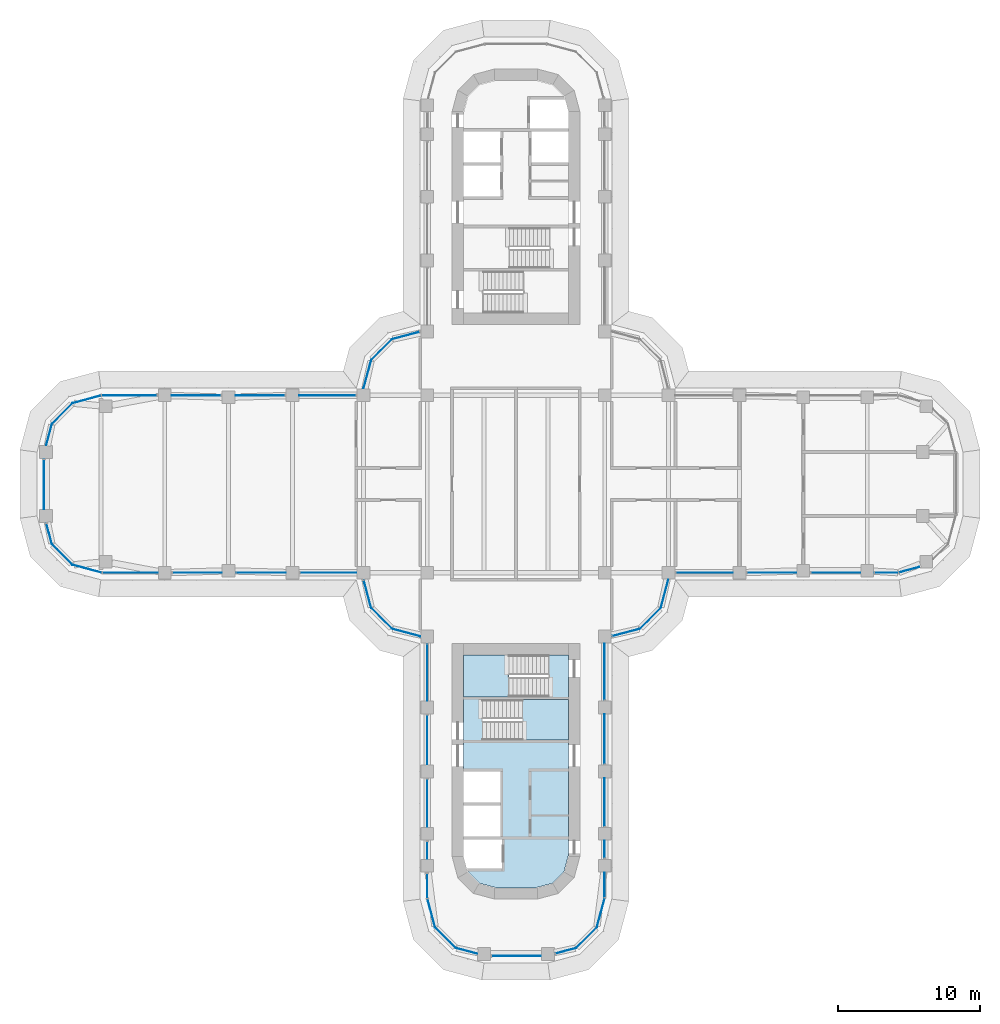
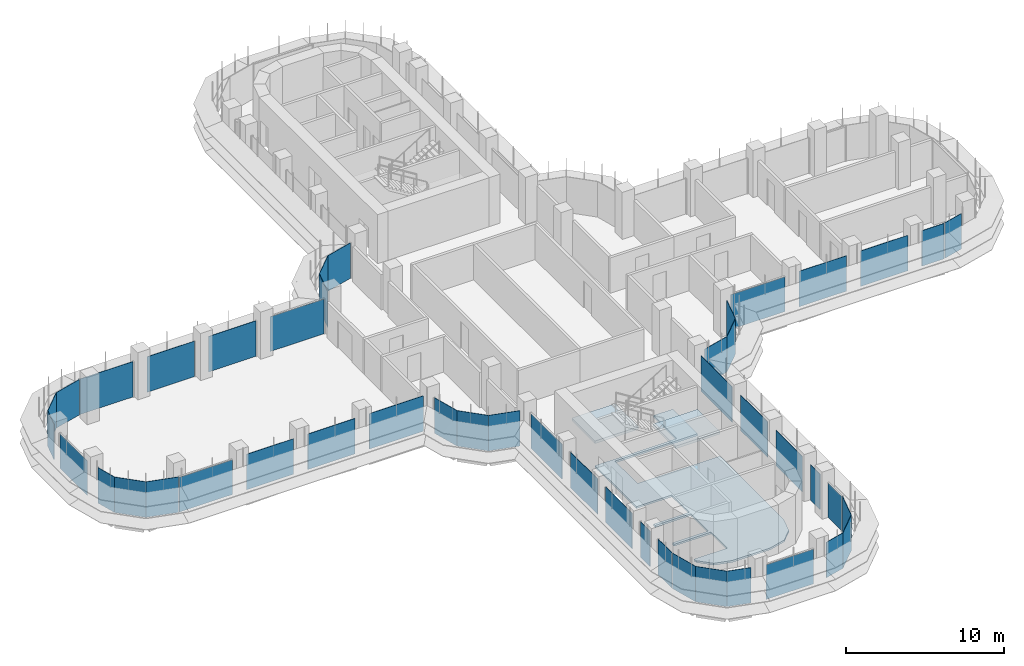
# One storey, part 12 of 21: 46 plates, 3 slabs, 31 elements without a shape of their own.
"""IFC4 building model written with IfcOpenShell, lengths in metres."""

from ifc_helpers import new_model, si_unit, direction, frame, origin, place, context, subcontext, project, spatial, polyline, outline, extrude, source, transform, mapped, material, layer, layer_set, type_object, element, aggregate, save


model = new_model("IFC4")

# Units and contexts
model_context = context("Model", 3, precision=1e-05, world=origin(), true_north=direction((0.0, 1.0)))
body_context = subcontext(model_context, "Body", "Model", "MODEL_VIEW")
ifc_project = project(units=[si_unit("LENGTHUNIT", "METRE"), si_unit("AREAUNIT", "SQUARE_METRE"), si_unit("VOLUMEUNIT", "CUBIC_METRE"), si_unit("PLANEANGLEUNIT", "RADIAN"), si_unit("MASSUNIT", "GRAM", prefix="KILO")], contexts=[model_context])

# Site, building, storey
site_placement = place(None, origin())
site = spatial("IfcSite", under=ifc_project, at=site_placement, CompositionType="ELEMENT")
building_placement = place(site_placement, origin())
building = spatial("IfcBuilding", under=site, at=building_placement, Name="Zarbagh Exchange Tower", CompositionType="ELEMENT")
storey_placement = place(building_placement, frame((0.0, 0.0, 128.39990234375)))
storey = spatial("IfcBuildingStorey", under=building, at=storey_placement, Name="L30", CompositionType="ELEMENT", Elevation=128.39990234375)

# Slab
ifc_material_1 = material(Name="Concrete C40/50", Category="concrete")
ifc_layer_1 = layer(ifc_material_1, 0.14990234375)
ifc_layer_set_1 = layer_set([ifc_layer_1], Name="Core floor slab 150 C40/50")
slab_type_1 = type_object("IfcSlabType", Name="Core floor slab 150 C40/50", PredefinedType="FLOOR", material=ifc_layer_set_1)
slab_1_placement = place(storey_placement, frame((0.0, 0.0, -0.14990234375)))
element("IfcSlab", 1, at=slab_1_placement, inside=storey, type_object=slab_type_1, Name="S17 core S", PredefinedType="FLOOR", context=body_context, shape_type="SweptSolid", body=[
    extrude(outline(polyline([(-2.5859375, -28.130859375), (-3.380859375, -27.3359375), (-3.646484375, -26.3447265625), (-3.444091796875, -27.10009765625), (-1.0, -27.10009765625), (-1.0, -25.050048828125), (-3.699951171875, -25.050048828125), (-3.699951171875, -24.85009765625), (-1.10009765625, -24.85009765625), (-1.10009765625, -22.64990234375), (-3.699951171875, -22.64990234375), (-3.699951171875, -22.449951171875), (-1.10009765625, -22.449951171875), (-1.10009765625, -20.25), (-3.699951171875, -20.25), (-3.699951171875, -15.0), (2.300048828125, -15.0), (2.300048828125, -12.050048828125), (3.699951171875, -12.050048828125), (3.699951171875, -15.199951171875), (-2.35009765625, -15.199951171875), (-2.35009765625, -18.050048828125), (3.699951171875, -18.050048828125), (3.699951171875, -26.144775390625), (3.380859375, -27.3359375), (2.5859375, -28.130859375), (1.394775390625, -28.449951171875), (-1.394775390625, -28.449951171875), (-2.5859375, -28.130859375)])), origin(), (0.0, 0.0, 1.0), 0.14990234375),
])

# Stair, slab
stair_type = type_object("IfcStairType", Name="Exit stair two-flight half-turn", PredefinedType="HALF_TURN_STAIR", material=ifc_material_1)
stair_1_placement = place(storey_placement, origin())
stair_1 = element("IfcStair", 2, at=stair_1_placement, inside=storey, type_object=stair_type, Name="exit stair ST3", PredefinedType="HALF_TURN_STAIR")
ifc_layer_2 = layer(ifc_material_1, 0.199951171875)
ifc_layer_set_2 = layer_set([ifc_layer_2], Name="Stair landing 200 mm")
slab_type_2 = type_object("IfcSlabType", Name="Stair landing 200 mm", PredefinedType="LANDING", material=ifc_layer_set_2)
slab_2_placement = place(storey_placement, frame((0.0, 0.0, 1.7001953125)))
slab_2 = element("IfcSlab", 3, at=slab_2_placement, type_object=slab_type_2, Name="ST3 landing 1", PredefinedType="LANDING", context=body_context, shape_type="SweptSolid", body=[
    extrude(outline(polyline([(0.449951171875, -18.050048828125), (3.699951171875, -18.050048828125), (3.699951171875, -15.199951171875), (0.449951171875, -15.199951171875), (0.449951171875, -18.050048828125)])), origin(), (0.0, 0.0, 1.0), 0.199951171875),
])
aggregate(stair_1, [slab_2])

stair_2_placement = place(storey_placement, origin())
stair_2 = element("IfcStair", 4, at=stair_2_placement, inside=storey, type_object=stair_type, Name="exit stair ST4", PredefinedType="HALF_TURN_STAIR")
slab_3_placement = place(storey_placement, frame((0.0, 0.0, 1.7001953125)))
slab_3 = element("IfcSlab", 5, at=slab_3_placement, type_object=slab_type_2, Name="ST4 landing 1", PredefinedType="LANDING", context=body_context, shape_type="SweptSolid", body=[
    extrude(outline(polyline([(-0.5, -12.050048828125), (-3.699951171875, -12.050048828125), (-3.699951171875, -15.0), (-0.5, -15.0), (-0.5, -12.050048828125)])), origin(), (0.0, 0.0, 1.0), 0.199951171875),
])
aggregate(stair_2, [slab_3])

# Curtain wall, plate
ifc_material_2 = material(Name="Anodised aluminium frame and glazing", Category="aluminium")
curtain_wall_type = type_object("IfcCurtainWallType", Name="CWA Ribbon glazing, lower zones", PredefinedType="NOTDEFINED", material=ifc_material_2)
curtain_wall_1_placement = place(storey_placement, origin())
curtain_wall_1 = element("IfcCurtainWall", 6, at=curtain_wall_1_placement, inside=storey, type_object=curtain_wall_type, Name="CWA01 curtain wall", PredefinedType="NOTDEFINED")
ifc_material_3 = material(Name="Low-e double glazed unit, 6+12+6 mm")
ifc_layer_3 = layer(ifc_material_3, 0.028076171875)
ifc_layer_set_3 = layer_set([ifc_layer_3], Name="PAA Glazing panel, Low-e double glazed unit, 6+12+6 mm")
plate_type = type_object("IfcPlateType", Name="PAA Glazing panel, Low-e double glazed unit, 6+12+6 mm", PredefinedType="CURTAIN_PANEL", material=ifc_layer_set_3)
shared_shape_1 = source(origin(), body_context, "Body", "SweptSolid", [
    extrude(outline(polyline([(0.0, -0.013916015625), (1.494140625, -0.013916015625), (1.494140625, 0.013916015625), (0.0, 0.013916015625), (0.0, -0.013916015625)])), origin(), (0.0, 0.0, 1.0), 2.75),
])
placement = place(storey_placement, origin())
plate_1 = element("IfcPlate", 7, at=placement, type_object=plate_type, Name="CWA01 glazing panel 1.1", PredefinedType="CURTAIN_PANEL", context=body_context, shape_type="MappedRepresentation", body=[
    mapped(shared_shape_1, transform((2.7978515625, -33.08544921875, 0.0), x_axis=(0.965924289636, 0.258824779902, 0.0), y_axis=(-0.258824779902, 0.965924289636, 0.0), z_axis=(0.0, 0.0, 1.0))),
])
aggregate(curtain_wall_1, [plate_1])

curtain_wall_2_placement = place(storey_placement, origin())
curtain_wall_2 = element("IfcCurtainWall", 8, at=curtain_wall_2_placement, inside=storey, type_object=curtain_wall_type, Name="CWA37 curtain wall", PredefinedType="NOTDEFINED")
plate_2 = element("IfcPlate", 9, at=placement, type_object=plate_type, Name="CWA37 glazing panel 1.1", PredefinedType="CURTAIN_PANEL", context=body_context, shape_type="MappedRepresentation", body=[
    mapped(shared_shape_1, transform((-33.08544921875, -2.7978515625, 0.0), x_axis=(0.258824779902, -0.965924289636, 0.0), y_axis=(0.965924289636, 0.258824779902, 0.0), z_axis=(0.0, 0.0, 1.0))),
])
aggregate(curtain_wall_2, [plate_2])

curtain_wall_3_placement = place(storey_placement, origin())
curtain_wall_3 = element("IfcCurtainWall", 10, at=curtain_wall_3_placement, inside=storey, type_object=curtain_wall_type, Name="CWA02 curtain wall", PredefinedType="NOTDEFINED")
shared_shape_2 = source(origin(), body_context, "Body", "SweptSolid", [
    extrude(outline(polyline([(0.0, -0.013916015625), (2.061279296875, -0.013916015625), (2.061279296875, 0.013916015625), (0.0, 0.013916015625), (0.0, -0.013916015625)])), origin(), (0.0, 0.0, 1.0), 2.75),
])
plate_3 = element("IfcPlate", 11, at=placement, type_object=plate_type, Name="CWA02 glazing panel 1.1", PredefinedType="CURTAIN_PANEL", context=body_context, shape_type="MappedRepresentation", body=[
    mapped(shared_shape_2, transform((4.2412109375, -32.69873046875, 0.0), x_axis=(0.707106781187, 0.707106781187, 0.0), y_axis=(-0.707106781187, 0.707106781187, 0.0), z_axis=(0.0, 0.0, 1.0))),
])
aggregate(curtain_wall_3, [plate_3])

curtain_wall_4_placement = place(storey_placement, origin())
curtain_wall_4 = element("IfcCurtainWall", 12, at=curtain_wall_4_placement, inside=storey, type_object=curtain_wall_type, Name="CWA06 curtain wall", PredefinedType="NOTDEFINED")
plate_4 = element("IfcPlate", 13, at=placement, type_object=plate_type, Name="CWA06 glazing panel 1.1", PredefinedType="CURTAIN_PANEL", context=body_context, shape_type="MappedRepresentation", body=[
    mapped(shared_shape_2, transform((8.7412109375, -10.19873046875, 0.0), x_axis=(0.707106781187, 0.707106781187, 0.0), y_axis=(-0.707106781187, 0.707106781187, 0.0), z_axis=(0.0, 0.0, 1.0))),
])
aggregate(curtain_wall_4, [plate_4])

curtain_wall_5_placement = place(storey_placement, origin())
curtain_wall_5 = element("IfcCurtainWall", 14, at=curtain_wall_5_placement, inside=storey, type_object=curtain_wall_type, Name="CWA30 curtain wall", PredefinedType="NOTDEFINED")
plate_5 = element("IfcPlate", 15, at=placement, type_object=plate_type, Name="CWA30 glazing panel 1.1", PredefinedType="CURTAIN_PANEL", context=body_context, shape_type="MappedRepresentation", body=[
    mapped(shared_shape_2, transform((-8.7412109375, 10.19873046875, 0.0), x_axis=(-0.707106781187, -0.707106781187, 0.0), y_axis=(0.707106781187, -0.707106781187, 0.0), z_axis=(0.0, 0.0, 1.0))),
])
aggregate(curtain_wall_5, [plate_5])

curtain_wall_6_placement = place(storey_placement, origin())
curtain_wall_6 = element("IfcCurtainWall", 16, at=curtain_wall_6_placement, inside=storey, type_object=curtain_wall_type, Name="CWA34 curtain wall", PredefinedType="NOTDEFINED")
plate_6 = element("IfcPlate", 17, at=placement, type_object=plate_type, Name="CWA34 glazing panel 1.1", PredefinedType="CURTAIN_PANEL", context=body_context, shape_type="MappedRepresentation", body=[
    mapped(shared_shape_2, transform((-31.2412109375, 5.69873046875, 0.0), x_axis=(-0.707106781187, -0.707106781187, 0.0), y_axis=(0.707106781187, -0.707106781187, 0.0), z_axis=(0.0, 0.0, 1.0))),
])
aggregate(curtain_wall_6, [plate_6])

curtain_wall_7_placement = place(storey_placement, origin())
curtain_wall_7 = element("IfcCurtainWall", 18, at=curtain_wall_7_placement, inside=storey, type_object=curtain_wall_type, Name="CWA38 curtain wall", PredefinedType="NOTDEFINED")
plate_7 = element("IfcPlate", 19, at=placement, type_object=plate_type, Name="CWA38 glazing panel 1.1", PredefinedType="CURTAIN_PANEL", context=body_context, shape_type="MappedRepresentation", body=[
    mapped(shared_shape_2, transform((-32.69873046875, -4.2412109375, 0.0), x_axis=(0.707106781187, -0.707106781187, 0.0), y_axis=(0.707106781187, 0.707106781187, 0.0), z_axis=(0.0, 0.0, 1.0))),
])
aggregate(curtain_wall_7, [plate_7])

curtain_wall_8_placement = place(storey_placement, origin())
curtain_wall_8 = element("IfcCurtainWall", 20, at=curtain_wall_8_placement, inside=storey, type_object=curtain_wall_type, Name="CWA42 curtain wall", PredefinedType="NOTDEFINED")
plate_8 = element("IfcPlate", 21, at=placement, type_object=plate_type, Name="CWA42 glazing panel 1.1", PredefinedType="CURTAIN_PANEL", context=body_context, shape_type="MappedRepresentation", body=[
    mapped(shared_shape_2, transform((-10.19873046875, -8.7412109375, 0.0), x_axis=(0.707106781187, -0.707106781187, 0.0), y_axis=(0.707106781187, 0.707106781187, 0.0), z_axis=(0.0, 0.0, 1.0))),
])
aggregate(curtain_wall_8, [plate_8])

curtain_wall_9_placement = place(storey_placement, origin())
curtain_wall_9 = element("IfcCurtainWall", 22, at=curtain_wall_9_placement, inside=storey, type_object=curtain_wall_type, Name="CWA46 curtain wall", PredefinedType="NOTDEFINED")
plate_9 = element("IfcPlate", 23, at=placement, type_object=plate_type, Name="CWA46 glazing panel 1.1", PredefinedType="CURTAIN_PANEL", context=body_context, shape_type="MappedRepresentation", body=[
    mapped(shared_shape_2, transform((-5.69873046875, -31.2412109375, 0.0), x_axis=(0.707106781187, -0.707106781187, 0.0), y_axis=(0.707106781187, 0.707106781187, 0.0), z_axis=(0.0, 0.0, 1.0))),
])
aggregate(curtain_wall_9, [plate_9])

curtain_wall_10_placement = place(storey_placement, origin())
curtain_wall_10 = element("IfcCurtainWall", 24, at=curtain_wall_10_placement, inside=storey, type_object=curtain_wall_type, Name="CWA03 curtain wall", PredefinedType="NOTDEFINED")
shared_shape_3 = source(origin(), body_context, "Body", "SweptSolid", [
    extrude(outline(polyline([(0.0, -0.013916015625), (2.129638671875, -0.013916015625), (2.129638671875, 0.013916015625), (0.0, 0.013916015625), (0.0, -0.013916015625)])), origin(), (0.0, 0.0, 1.0), 2.75),
])
plate_10 = element("IfcPlate", 25, at=placement, type_object=plate_type, Name="CWA03 glazing panel 1.1", PredefinedType="CURTAIN_PANEL", context=body_context, shape_type="MappedRepresentation", body=[
    mapped(shared_shape_3, transform((5.69873046875, -31.2412109375, 0.0), x_axis=(0.258824779902, 0.965924289636, 0.0), y_axis=(-0.965924289636, 0.258824779902, 0.0), z_axis=(0.0, 0.0, 1.0))),
])
aggregate(curtain_wall_10, [plate_10])

curtain_wall_11_placement = place(storey_placement, origin())
curtain_wall_11 = element("IfcCurtainWall", 26, at=curtain_wall_11_placement, inside=storey, type_object=curtain_wall_type, Name="CWA39 curtain wall", PredefinedType="NOTDEFINED")
plate_11 = element("IfcPlate", 27, at=placement, type_object=plate_type, Name="CWA39 glazing panel 1.1", PredefinedType="CURTAIN_PANEL", context=body_context, shape_type="MappedRepresentation", body=[
    mapped(shared_shape_3, transform((-31.2412109375, -5.69873046875, 0.0), x_axis=(0.965924289636, -0.258824779902, 0.0), y_axis=(0.258824779902, 0.965924289636, 0.0), z_axis=(0.0, 0.0, 1.0))),
])
aggregate(curtain_wall_11, [plate_11])

# Curtain wall, plates
curtain_wall_12_placement = place(storey_placement, origin())
curtain_wall_12 = element("IfcCurtainWall", 28, at=curtain_wall_12_placement, inside=storey, type_object=curtain_wall_type, Name="CWA04 curtain wall", PredefinedType="NOTDEFINED")
shared_shape_4 = source(origin(), body_context, "Body", "SweptSolid", [
    extrude(outline(polyline([(0.0, -0.013916015625), (1.734130859375, -0.013916015625), (1.734130859375, 0.013916015625), (0.0, 0.013916015625), (0.0, -0.013916015625)])), origin(), (0.0, 0.0, 1.0), 2.68994140625),
])
plate_12 = element("IfcPlate", 29, at=placement, type_object=plate_type, Name="CWA04 glazing panel 1.1", PredefinedType="CURTAIN_PANEL", context=body_context, shape_type="MappedRepresentation", body=[
    mapped(shared_shape_4, transform((6.25, -29.124267578125, 0.0), x_axis=(0.0, 1.0, 0.0), y_axis=(-1.0, 0.0, 0.0), z_axis=(0.0, 0.0, 1.0))),
])
shared_shape_5 = source(origin(), body_context, "Body", "SweptSolid", [
    extrude(outline(polyline([(0.0, -0.013916015625), (1.2099609375, -0.013916015625), (1.2099609375, 0.013916015625), (0.0, 0.013916015625), (0.0, -0.013916015625)])), origin(), (0.0, 0.0, 1.0), 2.75),
])
plate_13 = element("IfcPlate", 30, at=placement, type_object=plate_type, Name="CWA04 glazing panel 2.1", PredefinedType="CURTAIN_PANEL", context=body_context, shape_type="MappedRepresentation", body=[
    mapped(shared_shape_5, transform((6.25, -26.349853515625, 0.0), x_axis=(0.0, 1.0, 0.0), y_axis=(-1.0, 0.0, 0.0), z_axis=(0.0, 0.0, 1.0))),
])

# Curtain wall, plate
curtain_wall_13_placement = place(storey_placement, origin())
curtain_wall_13 = element("IfcCurtainWall", 31, at=curtain_wall_13_placement, inside=storey, type_object=curtain_wall_type, Name="CWA44 curtain wall", PredefinedType="NOTDEFINED")
plate_14 = element("IfcPlate", 32, at=placement, type_object=plate_type, Name="CWA44 glazing panel 4.1", PredefinedType="CURTAIN_PANEL", context=body_context, shape_type="MappedRepresentation", body=[
    mapped(shared_shape_5, transform((-6.25, -25.199951171875, 0.0), x_axis=(0.0, -1.0, 0.0), y_axis=(1.0, 0.0, 0.0), z_axis=(0.0, 0.0, 1.0))),
])

# Plate
shared_shape_6 = source(origin(), body_context, "Body", "SweptSolid", [
    extrude(outline(polyline([(0.0, -0.013916015625), (3.360107421875, -0.013916015625), (3.360107421875, 0.013916015625), (0.0, 0.013916015625), (0.0, -0.013916015625)])), origin(), (0.0, 0.0, 1.0), 2.75),
])
plate_15 = element("IfcPlate", 33, at=placement, type_object=plate_type, Name="CWA04 glazing panel 3.1", PredefinedType="CURTAIN_PANEL", context=body_context, shape_type="MappedRepresentation", body=[
    mapped(shared_shape_6, transform((6.25, -24.099853515625, 0.0), x_axis=(0.0, 1.0, 0.0), y_axis=(-1.0, 0.0, 0.0), z_axis=(0.0, 0.0, 1.0))),
])

plate_16 = element("IfcPlate", 34, at=placement, type_object=plate_type, Name="CWA44 glazing panel 3.1", PredefinedType="CURTAIN_PANEL", context=body_context, shape_type="MappedRepresentation", body=[
    mapped(shared_shape_6, transform((-6.25, -20.800048828125, 0.0), x_axis=(0.0, -1.0, 0.0), y_axis=(1.0, 0.0, 0.0), z_axis=(0.0, 0.0, 1.0))),
])

shared_shape_7 = source(origin(), body_context, "Body", "SweptSolid", [
    extrude(outline(polyline([(0.0, -0.013916015625), (3.4599609375, -0.013916015625), (3.4599609375, 0.013916015625), (0.0, 0.013916015625), (0.0, -0.013916015625)])), origin(), (0.0, 0.0, 1.0), 2.75),
])
plate_17 = element("IfcPlate", 35, at=placement, type_object=plate_type, Name="CWA04 glazing panel 4.1", PredefinedType="CURTAIN_PANEL", context=body_context, shape_type="MappedRepresentation", body=[
    mapped(shared_shape_7, transform((6.25, -19.699951171875, 0.0), x_axis=(0.0, 1.0, 0.0), y_axis=(-1.0, 0.0, 0.0), z_axis=(0.0, 0.0, 1.0))),
])

# Curtain wall, plates
curtain_wall_14_placement = place(storey_placement, origin())
curtain_wall_14 = element("IfcCurtainWall", 36, at=curtain_wall_14_placement, inside=storey, type_object=curtain_wall_type, Name="CWA58 curtain wall", PredefinedType="NOTDEFINED")
plate_18 = element("IfcPlate", 37, at=placement, type_object=plate_type, Name="CWA58 glazing panel 2.1", PredefinedType="CURTAIN_PANEL", context=body_context, shape_type="MappedRepresentation", body=[
    mapped(shared_shape_7, transform((16.300048828125, -6.25, 0.0), x_axis=(1.0, 0.0, 0.0), y_axis=(0.0, 1.0, 0.0), z_axis=(0.0, 0.0, 1.0))),
])
plate_19 = element("IfcPlate", 38, at=placement, type_object=plate_type, Name="CWA58 glazing panel 3.1", PredefinedType="CURTAIN_PANEL", context=body_context, shape_type="MappedRepresentation", body=[
    mapped(shared_shape_7, transform((20.800048828125, -6.25, 0.0), x_axis=(1.0, 0.0, 0.0), y_axis=(0.0, 1.0, 0.0), z_axis=(0.0, 0.0, 1.0))),
])

curtain_wall_15_placement = place(storey_placement, origin())
curtain_wall_15 = element("IfcCurtainWall", 39, at=curtain_wall_15_placement, inside=storey, type_object=curtain_wall_type, Name="CWA32 curtain wall", PredefinedType="NOTDEFINED")
plate_20 = element("IfcPlate", 40, at=placement, type_object=plate_type, Name="CWA32 glazing panel 2.1", PredefinedType="CURTAIN_PANEL", context=body_context, shape_type="MappedRepresentation", body=[
    mapped(shared_shape_7, transform((-16.300048828125, 6.25, 0.0), x_axis=(-1.0, 0.0, 0.0), y_axis=(0.0, -1.0, 0.0), z_axis=(0.0, 0.0, 1.0))),
])
plate_21 = element("IfcPlate", 41, at=placement, type_object=plate_type, Name="CWA32 glazing panel 3.1", PredefinedType="CURTAIN_PANEL", context=body_context, shape_type="MappedRepresentation", body=[
    mapped(shared_shape_7, transform((-20.800048828125, 6.25, 0.0), x_axis=(-1.0, 0.0, 0.0), y_axis=(0.0, -1.0, 0.0), z_axis=(0.0, 0.0, 1.0))),
])

curtain_wall_16_placement = place(storey_placement, origin())
curtain_wall_16 = element("IfcCurtainWall", 42, at=curtain_wall_16_placement, inside=storey, type_object=curtain_wall_type, Name="CWA40 curtain wall", PredefinedType="NOTDEFINED")
plate_22 = element("IfcPlate", 43, at=placement, type_object=plate_type, Name="CWA40 glazing panel 2.1", PredefinedType="CURTAIN_PANEL", context=body_context, shape_type="MappedRepresentation", body=[
    mapped(shared_shape_7, transform((-24.199951171875, -6.25, 0.0), x_axis=(1.0, 0.0, 0.0), y_axis=(0.0, 1.0, 0.0), z_axis=(0.0, 0.0, 1.0))),
])
plate_23 = element("IfcPlate", 44, at=placement, type_object=plate_type, Name="CWA40 glazing panel 3.1", PredefinedType="CURTAIN_PANEL", context=body_context, shape_type="MappedRepresentation", body=[
    mapped(shared_shape_7, transform((-19.699951171875, -6.25, 0.0), x_axis=(1.0, 0.0, 0.0), y_axis=(0.0, 1.0, 0.0), z_axis=(0.0, 0.0, 1.0))),
])

# Plate
plate_24 = element("IfcPlate", 45, at=placement, type_object=plate_type, Name="CWA44 glazing panel 2.1", PredefinedType="CURTAIN_PANEL", context=body_context, shape_type="MappedRepresentation", body=[
    mapped(shared_shape_7, transform((-6.25, -16.300048828125, 0.0), x_axis=(0.0, -1.0, 0.0), y_axis=(1.0, 0.0, 0.0), z_axis=(0.0, 0.0, 1.0))),
])

shared_shape_8 = source(origin(), body_context, "Body", "SweptSolid", [
    extrude(outline(polyline([(0.0, -0.013916015625), (3.9599609375, -0.013916015625), (3.9599609375, 0.013916015625), (0.0, 0.013916015625), (0.0, -0.013916015625)])), origin(), (0.0, 0.0, 1.0), 2.75),
])
plate_25 = element("IfcPlate", 46, at=placement, type_object=plate_type, Name="CWA04 glazing panel 5.1", PredefinedType="CURTAIN_PANEL", context=body_context, shape_type="MappedRepresentation", body=[
    mapped(shared_shape_8, transform((6.25, -15.199951171875, 0.0), x_axis=(0.0, 1.0, 0.0), y_axis=(-1.0, 0.0, 0.0), z_axis=(0.0, 0.0, 1.0))),
])

aggregate(curtain_wall_12, [plate_12, plate_13, plate_15, plate_17, plate_25])

plate_26 = element("IfcPlate", 47, at=placement, type_object=plate_type, Name="CWA40 glazing panel 4.1", PredefinedType="CURTAIN_PANEL", context=body_context, shape_type="MappedRepresentation", body=[
    mapped(shared_shape_8, transform((-15.199951171875, -6.25, 0.0), x_axis=(1.0, 0.0, 0.0), y_axis=(0.0, 1.0, 0.0), z_axis=(0.0, 0.0, 1.0))),
])

# Curtain wall, plate
curtain_wall_17_placement = place(storey_placement, origin())
curtain_wall_17 = element("IfcCurtainWall", 48, at=curtain_wall_17_placement, inside=storey, type_object=curtain_wall_type, Name="CWA05 curtain wall", PredefinedType="NOTDEFINED")
shared_shape_9 = source(origin(), body_context, "Body", "SweptSolid", [
    extrude(outline(polyline([(0.0, -0.013916015625), (2.01171875, -0.013916015625), (2.01171875, 0.013916015625), (0.0, 0.013916015625), (0.0, -0.013916015625)])), origin(), (0.0, 0.0, 1.0), 2.75),
])
plate_27 = element("IfcPlate", 49, at=placement, type_object=plate_type, Name="CWA05 glazing panel 1.1", PredefinedType="CURTAIN_PANEL", context=body_context, shape_type="MappedRepresentation", body=[
    mapped(shared_shape_9, transform((6.7978515625, -10.719482421875, 0.0), x_axis=(0.965924289636, 0.258824779902, 0.0), y_axis=(-0.258824779902, 0.965924289636, 0.0), z_axis=(0.0, 0.0, 1.0))),
])
aggregate(curtain_wall_17, [plate_27])

curtain_wall_18_placement = place(storey_placement, origin())
curtain_wall_18 = element("IfcCurtainWall", 50, at=curtain_wall_18_placement, inside=storey, type_object=curtain_wall_type, Name="CWA29 curtain wall", PredefinedType="NOTDEFINED")
plate_28 = element("IfcPlate", 51, at=placement, type_object=plate_type, Name="CWA29 glazing panel 1.1", PredefinedType="CURTAIN_PANEL", context=body_context, shape_type="MappedRepresentation", body=[
    mapped(shared_shape_9, transform((-6.7978515625, 10.719482421875, 0.0), x_axis=(-0.965924289636, -0.258824779902, 0.0), y_axis=(0.258824779902, -0.965924289636, 0.0), z_axis=(0.0, 0.0, 1.0))),
])
aggregate(curtain_wall_18, [plate_28])

curtain_wall_19_placement = place(storey_placement, origin())
curtain_wall_19 = element("IfcCurtainWall", 52, at=curtain_wall_19_placement, inside=storey, type_object=curtain_wall_type, Name="CWA41 curtain wall", PredefinedType="NOTDEFINED")
plate_29 = element("IfcPlate", 53, at=placement, type_object=plate_type, Name="CWA41 glazing panel 1.1", PredefinedType="CURTAIN_PANEL", context=body_context, shape_type="MappedRepresentation", body=[
    mapped(shared_shape_9, transform((-10.719482421875, -6.7978515625, 0.0), x_axis=(0.258824779902, -0.965924289636, 0.0), y_axis=(0.965924289636, 0.258824779902, 0.0), z_axis=(0.0, 0.0, 1.0))),
])
aggregate(curtain_wall_19, [plate_29])

curtain_wall_20_placement = place(storey_placement, origin())
curtain_wall_20 = element("IfcCurtainWall", 54, at=curtain_wall_20_placement, inside=storey, type_object=curtain_wall_type, Name="CWA07 curtain wall", PredefinedType="NOTDEFINED")
shared_shape_10 = source(origin(), body_context, "Body", "SweptSolid", [
    extrude(outline(polyline([(0.0, -0.013916015625), (2.07177734375, -0.013916015625), (2.07177734375, 0.013916015625), (0.0, 0.013916015625), (0.0, -0.013916015625)])), origin(), (0.0, 0.0, 1.0), 2.75),
])
plate_30 = element("IfcPlate", 55, at=placement, type_object=plate_type, Name="CWA07 glazing panel 1.1", PredefinedType="CURTAIN_PANEL", context=body_context, shape_type="MappedRepresentation", body=[
    mapped(shared_shape_10, transform((10.19873046875, -8.7412109375, 0.0), x_axis=(0.258824779902, 0.965924289636, 0.0), y_axis=(-0.965924289636, 0.258824779902, 0.0), z_axis=(0.0, 0.0, 1.0))),
])
aggregate(curtain_wall_20, [plate_30])

curtain_wall_21_placement = place(storey_placement, origin())
curtain_wall_21 = element("IfcCurtainWall", 56, at=curtain_wall_21_placement, inside=storey, type_object=curtain_wall_type, Name="CWA31 curtain wall", PredefinedType="NOTDEFINED")
plate_31 = element("IfcPlate", 57, at=placement, type_object=plate_type, Name="CWA31 glazing panel 1.1", PredefinedType="CURTAIN_PANEL", context=body_context, shape_type="MappedRepresentation", body=[
    mapped(shared_shape_10, transform((-10.19873046875, 8.7412109375, 0.0), x_axis=(-0.258824779902, -0.965924289636, 0.0), y_axis=(0.965924289636, -0.258824779902, 0.0), z_axis=(0.0, 0.0, 1.0))),
])
aggregate(curtain_wall_21, [plate_31])

curtain_wall_22_placement = place(storey_placement, origin())
curtain_wall_22 = element("IfcCurtainWall", 58, at=curtain_wall_22_placement, inside=storey, type_object=curtain_wall_type, Name="CWA43 curtain wall", PredefinedType="NOTDEFINED")
plate_32 = element("IfcPlate", 59, at=placement, type_object=plate_type, Name="CWA43 glazing panel 1.1", PredefinedType="CURTAIN_PANEL", context=body_context, shape_type="MappedRepresentation", body=[
    mapped(shared_shape_10, transform((-8.7412109375, -10.19873046875, 0.0), x_axis=(0.965924289636, -0.258824779902, 0.0), y_axis=(0.258824779902, 0.965924289636, 0.0), z_axis=(0.0, 0.0, 1.0))),
])
aggregate(curtain_wall_22, [plate_32])

# Plate
shared_shape_11 = source(origin(), body_context, "Body", "SweptSolid", [
    extrude(outline(polyline([(0.0, -0.013916015625), (3.9599609375, -0.013916015625), (3.9599609375, 0.013916015625), (0.0, 0.013916015625), (0.0, -0.013916015625)])), origin(), (0.0, 0.0, 1.0), 2.68994140625),
])
plate_33 = element("IfcPlate", 60, at=placement, type_object=plate_type, Name="CWA58 glazing panel 1.1", PredefinedType="CURTAIN_PANEL", context=body_context, shape_type="MappedRepresentation", body=[
    mapped(shared_shape_11, transform((11.300048828125, -6.25, 0.0), x_axis=(1.0, 0.0, 0.0), y_axis=(0.0, 1.0, 0.0), z_axis=(0.0, 0.0, 1.0))),
])

plate_34 = element("IfcPlate", 61, at=placement, type_object=plate_type, Name="CWA32 glazing panel 1.1", PredefinedType="CURTAIN_PANEL", context=body_context, shape_type="MappedRepresentation", body=[
    mapped(shared_shape_11, transform((-11.300048828125, 6.25, 0.0), x_axis=(-1.0, 0.0, 0.0), y_axis=(0.0, -1.0, 0.0), z_axis=(0.0, 0.0, 1.0))),
])

plate_35 = element("IfcPlate", 62, at=placement, type_object=plate_type, Name="CWA44 glazing panel 1.1", PredefinedType="CURTAIN_PANEL", context=body_context, shape_type="MappedRepresentation", body=[
    mapped(shared_shape_11, transform((-6.25, -11.300048828125, 0.0), x_axis=(0.0, -1.0, 0.0), y_axis=(1.0, 0.0, 0.0), z_axis=(0.0, 0.0, 1.0))),
])

shared_shape_12 = source(origin(), body_context, "Body", "SweptSolid", [
    extrude(outline(polyline([(0.0, -0.013916015625), (3.884033203125, -0.013916015625), (3.884033203125, 0.013916015625), (0.0, 0.013916015625), (0.0, -0.013916015625)])), origin(), (0.0, 0.0, 1.0), 2.75),
])
plate_36 = element("IfcPlate", 63, at=placement, type_object=plate_type, Name="CWA32 glazing panel 4.1", PredefinedType="CURTAIN_PANEL", context=body_context, shape_type="MappedRepresentation", body=[
    mapped(shared_shape_12, transform((-25.300048828125, 6.25, 0.0), x_axis=(-1.0, 0.0, 0.0), y_axis=(0.0, -1.0, 0.0), z_axis=(0.0, 0.0, 1.0))),
])

aggregate(curtain_wall_15, [plate_34, plate_20, plate_21, plate_36])

# Curtain wall, plate
curtain_wall_23_placement = place(storey_placement, origin())
curtain_wall_23 = element("IfcCurtainWall", 64, at=curtain_wall_23_placement, inside=storey, type_object=curtain_wall_type, Name="CWA33 curtain wall", PredefinedType="NOTDEFINED")
shared_shape_13 = source(origin(), body_context, "Body", "SweptSolid", [
    extrude(outline(polyline([(0.0, -0.013916015625), (2.069580078125, -0.013916015625), (2.069580078125, 0.013916015625), (0.0, 0.013916015625), (0.0, -0.013916015625)])), origin(), (0.0, 0.0, 1.0), 2.75),
])
plate_37 = element("IfcPlate", 65, at=placement, type_object=plate_type, Name="CWA33 glazing panel 1.1", PredefinedType="CURTAIN_PANEL", context=body_context, shape_type="MappedRepresentation", body=[
    mapped(shared_shape_13, transform((-29.2421875, 6.234375, 0.0), x_axis=(-0.965924289636, -0.258824779902, 0.0), y_axis=(0.258824779902, -0.965924289636, 0.0), z_axis=(0.0, 0.0, 1.0))),
])
aggregate(curtain_wall_23, [plate_37])

curtain_wall_24_placement = place(storey_placement, origin())
curtain_wall_24 = element("IfcCurtainWall", 66, at=curtain_wall_24_placement, inside=storey, type_object=curtain_wall_type, Name="CWA45 curtain wall", PredefinedType="NOTDEFINED")
plate_38 = element("IfcPlate", 67, at=placement, type_object=plate_type, Name="CWA45 glazing panel 1.1", PredefinedType="CURTAIN_PANEL", context=body_context, shape_type="MappedRepresentation", body=[
    mapped(shared_shape_13, transform((-6.234375, -29.2421875, 0.0), x_axis=(0.258824779902, -0.965924289636, 0.0), y_axis=(0.965924289636, 0.258824779902, 0.0), z_axis=(0.0, 0.0, 1.0))),
])
aggregate(curtain_wall_24, [plate_38])

curtain_wall_25_placement = place(storey_placement, origin())
curtain_wall_25 = element("IfcCurtainWall", 68, at=curtain_wall_25_placement, inside=storey, type_object=curtain_wall_type, Name="CWA35 curtain wall", PredefinedType="NOTDEFINED")
shared_shape_14 = source(origin(), body_context, "Body", "SweptSolid", [
    extrude(outline(polyline([(0.0, -0.013916015625), (1.55419921875, -0.013916015625), (1.55419921875, 0.013916015625), (0.0, 0.013916015625), (0.0, -0.013916015625)])), origin(), (0.0, 0.0, 1.0), 2.75),
])
plate_39 = element("IfcPlate", 69, at=placement, type_object=plate_type, Name="CWA35 glazing panel 1.1", PredefinedType="CURTAIN_PANEL", context=body_context, shape_type="MappedRepresentation", body=[
    mapped(shared_shape_14, transform((-32.69873046875, 4.2412109375, 0.0), x_axis=(-0.258824779902, -0.965924289636, 0.0), y_axis=(0.965924289636, -0.258824779902, 0.0), z_axis=(0.0, 0.0, 1.0))),
])
aggregate(curtain_wall_25, [plate_39])

curtain_wall_26_placement = place(storey_placement, origin())
curtain_wall_26 = element("IfcCurtainWall", 70, at=curtain_wall_26_placement, inside=storey, type_object=curtain_wall_type, Name="CWA47 curtain wall", PredefinedType="NOTDEFINED")
plate_40 = element("IfcPlate", 71, at=placement, type_object=plate_type, Name="CWA47 glazing panel 1.1", PredefinedType="CURTAIN_PANEL", context=body_context, shape_type="MappedRepresentation", body=[
    mapped(shared_shape_14, transform((-4.2412109375, -32.69873046875, 0.0), x_axis=(0.965924289636, -0.258824779902, 0.0), y_axis=(0.258824779902, 0.965924289636, 0.0), z_axis=(0.0, 0.0, 1.0))),
])
aggregate(curtain_wall_26, [plate_40])

curtain_wall_27_placement = place(storey_placement, origin())
curtain_wall_27 = element("IfcCurtainWall", 72, at=curtain_wall_27_placement, inside=storey, type_object=curtain_wall_type, Name="CWA36 curtain wall", PredefinedType="NOTDEFINED")
shared_shape_15 = source(origin(), body_context, "Body", "SweptSolid", [
    extrude(outline(polyline([(0.0, -0.013916015625), (3.4599609375, -0.013916015625), (3.4599609375, 0.013916015625), (0.0, 0.013916015625), (0.0, -0.013916015625)])), origin(), (0.0, 0.0, 1.0), 2.68994140625),
])
plate_41 = element("IfcPlate", 73, at=placement, type_object=plate_type, Name="CWA36 glazing panel 1.1", PredefinedType="CURTAIN_PANEL", context=body_context, shape_type="MappedRepresentation", body=[
    mapped(shared_shape_15, transform((-33.25, 1.699951171875, 0.0), x_axis=(0.0, -1.0, 0.0), y_axis=(1.0, 0.0, 0.0), z_axis=(0.0, 0.0, 1.0))),
])
aggregate(curtain_wall_27, [plate_41])

curtain_wall_28_placement = place(storey_placement, origin())
curtain_wall_28 = element("IfcCurtainWall", 74, at=curtain_wall_28_placement, inside=storey, type_object=curtain_wall_type, Name="CWA48 curtain wall", PredefinedType="NOTDEFINED")
plate_42 = element("IfcPlate", 75, at=placement, type_object=plate_type, Name="CWA48 glazing panel 1.1", PredefinedType="CURTAIN_PANEL", context=body_context, shape_type="MappedRepresentation", body=[
    mapped(shared_shape_15, transform((-1.699951171875, -33.25, 0.0), x_axis=(1.0, 0.0, 0.0), y_axis=(0.0, 1.0, 0.0), z_axis=(0.0, 0.0, 1.0))),
])
aggregate(curtain_wall_28, [plate_42])

# Plate
shared_shape_16 = source(origin(), body_context, "Body", "SweptSolid", [
    extrude(outline(polyline([(0.0, -0.013916015625), (3.88427734375, -0.013916015625), (3.88427734375, 0.013916015625), (0.0, 0.013916015625), (0.0, -0.013916015625)])), origin(), (0.0, 0.0, 1.0), 2.68994140625),
])
plate_43 = element("IfcPlate", 76, at=placement, type_object=plate_type, Name="CWA40 glazing panel 1.1", PredefinedType="CURTAIN_PANEL", context=body_context, shape_type="MappedRepresentation", body=[
    mapped(shared_shape_16, transform((-29.124267578125, -6.25, 0.0), x_axis=(1.0, 0.0, 0.0), y_axis=(0.0, 1.0, 0.0), z_axis=(0.0, 0.0, 1.0))),
])

aggregate(curtain_wall_16, [plate_43, plate_22, plate_23, plate_26])

shared_shape_17 = source(origin(), body_context, "Body", "SweptSolid", [
    extrude(outline(polyline([(0.0, -0.013916015625), (1.734130859375, -0.013916015625), (1.734130859375, 0.013916015625), (0.0, 0.013916015625), (0.0, -0.013916015625)])), origin(), (0.0, 0.0, 1.0), 2.75),
])
plate_44 = element("IfcPlate", 77, at=placement, type_object=plate_type, Name="CWA44 glazing panel 5.1", PredefinedType="CURTAIN_PANEL", context=body_context, shape_type="MappedRepresentation", body=[
    mapped(shared_shape_17, transform((-6.25, -27.449951171875, 0.0), x_axis=(0.0, -1.0, 0.0), y_axis=(1.0, 0.0, 0.0), z_axis=(0.0, 0.0, 1.0))),
])

aggregate(curtain_wall_13, [plate_35, plate_24, plate_16, plate_14, plate_44])

shared_shape_18 = source(origin(), body_context, "Body", "SweptSolid", [
    extrude(outline(polyline([(0.0, -0.013916015625), (1.634033203125, -0.013916015625), (1.634033203125, 0.013916015625), (0.0, 0.013916015625), (0.0, -0.013916015625)])), origin(), (0.0, 0.0, 1.0), 2.75),
])
plate_45 = element("IfcPlate", 78, at=placement, type_object=plate_type, Name="CWA58 glazing panel 4.1", PredefinedType="CURTAIN_PANEL", context=body_context, shape_type="MappedRepresentation", body=[
    mapped(shared_shape_18, transform((25.300048828125, -6.25, 0.0), x_axis=(1.0, 0.0, 0.0), y_axis=(0.0, 1.0, 0.0), z_axis=(0.0, 0.0, 1.0))),
])

aggregate(curtain_wall_14, [plate_33, plate_18, plate_19, plate_45])

# Curtain wall, plate
curtain_wall_29_placement = place(storey_placement, origin())
curtain_wall_29 = element("IfcCurtainWall", 79, at=curtain_wall_29_placement, inside=storey, type_object=curtain_wall_type, Name="CWA59 curtain wall", PredefinedType="NOTDEFINED")
shared_shape_19 = source(origin(), body_context, "Body", "SweptSolid", [
    extrude(outline(polyline([(0.0, -0.013916015625), (1.476318359375, -0.013916015625), (1.476318359375, 0.013916015625), (0.0, 0.013916015625), (0.0, -0.013916015625)])), origin(), (0.0, 0.0, 1.0), 2.75),
])
plate_46 = element("IfcPlate", 80, at=placement, type_object=plate_type, Name="CWA59 glazing panel 1.1", PredefinedType="CURTAIN_PANEL", context=body_context, shape_type="MappedRepresentation", body=[
    mapped(shared_shape_19, transform((26.9921875, -6.234375, 0.0), x_axis=(0.965924289636, 0.258824779902, 0.0), y_axis=(-0.258824779902, 0.965924289636, 0.0), z_axis=(0.0, 0.0, 1.0))),
])
aggregate(curtain_wall_29, [plate_46])

save(model, "model.ifc")
